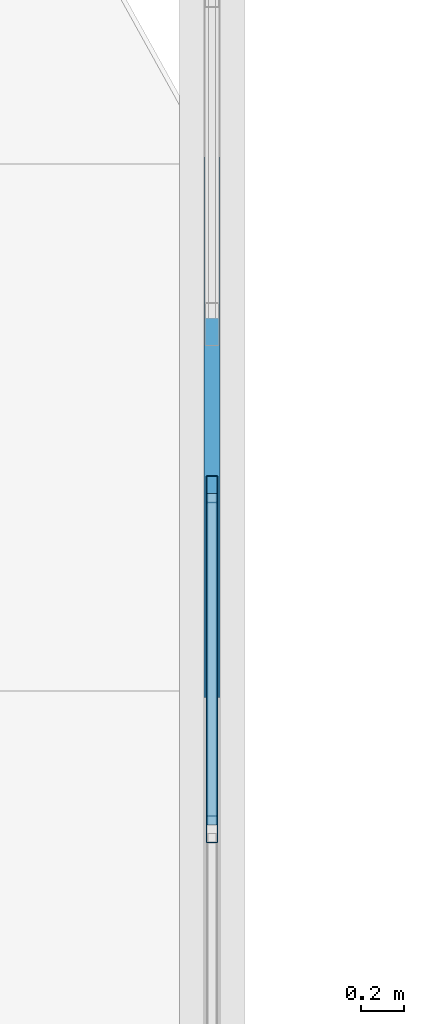
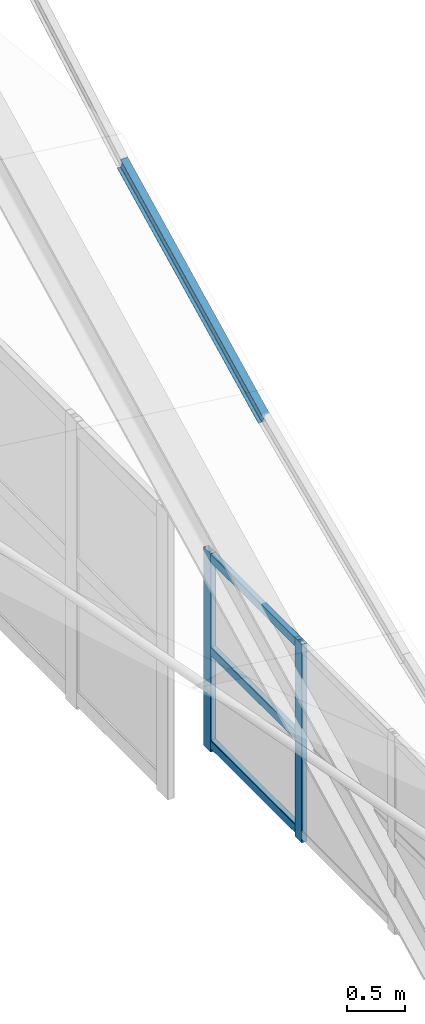
# One storey, part 133 of 262: 6 members, 1 element without a shape of its own.
"""IFC4 building model written with IfcOpenShell, lengths in metres."""

from ifc_helpers import new_model, si_unit, derived_unit, direction, frame, origin, origin_2d, place, context, subcontext, project, spatial, hollow_rectangle, i_section, extrude, material, layer, layer_set, material_profile, profile_set, type_object, element, aggregate, save


model = new_model("IFC4")

# Units and contexts
model_context = context("Model", 3, precision=1e-05, world=origin(), true_north=direction((0.0, 1.0)))
body_context = subcontext(model_context, "Body", "Model", "MODEL_VIEW")
ifc_project = project(units=[si_unit("LENGTHUNIT", "METRE"), si_unit("AREAUNIT", "SQUARE_METRE"), si_unit("VOLUMEUNIT", "CUBIC_METRE"), si_unit("PLANEANGLEUNIT", "RADIAN"), si_unit("MASSUNIT", "GRAM", prefix="KILO"), derived_unit("THERMALTRANSMITTANCEUNIT", [(si_unit("POWERUNIT", "WATT"), 1), (si_unit("LENGTHUNIT", "METRE"), -2), (si_unit("THERMODYNAMICTEMPERATUREUNIT", "KELVIN"), -1)])], contexts=[model_context])

# Site, building, storey
site_placement = place(None, origin())
site = spatial("IfcSite", under=ifc_project, at=site_placement, CompositionType="ELEMENT")
building_placement = place(site_placement, origin())
building = spatial("IfcBuilding", under=site, at=building_placement, Name="Almenara Railside Exhibition Hall", CompositionType="ELEMENT")
storey_placement = place(building_placement, frame((0.0, 0.0, 21.699951171875)))
storey = spatial("IfcBuildingStorey", under=building, at=storey_placement, Name="RF", CompositionType="ELEMENT", Elevation=21.699951171875)

# Member
ifc_material_1 = material(Name="Structural steel S355JR", Category="steel")
ifc_material_profile_1 = material_profile(ifc_material_1, i_section(OverallWidth=0.072998046875, OverallDepth=0.139892578125, WebThickness=0.004638671875, FlangeThickness=0.0068359375, FilletRadius=0.007080078125, at=origin_2d()), Name="IPE 140")
ifc_profile_set_1 = profile_set([ifc_material_profile_1], Name="Structural steel S355JR")
member_type_1 = type_object("IfcMemberType", Name="Canopy Edge Purlin IPE 140 S355JR", PredefinedType="PURLIN", material=ifc_profile_set_1)
member_1_placement = place(storey_placement, frame((66.0, 124.68994140625, 4.884765625), z_axis=(0.0, 0.895376074457, 0.445310773831), x_axis=(-1.0, 0.0, 0.0)))
element("IfcMember", 1, at=member_1_placement, inside=storey, type_object=member_type_1, Name="MEM-PR-V1-PR-IPE140-08-25", PredefinedType="PURLIN", context=body_context, shape_type="SweptSolid", body=[
    extrude(i_section(OverallWidth=0.072998046875, OverallDepth=0.139892578125, WebThickness=0.004638671875, FlangeThickness=0.0068359375, FilletRadius=0.007080078125, at=origin_2d()), origin(), (0.0, 0.0, 1.0), 2.721435546875),
])

# Curtain wall, members
ifc_material_2 = material(Name="Bronze-anodised aluminium and low-E double glazing", Category="aluminium")
ifc_layer = layer(ifc_material_2, 0.179931640625, Name="Bronze-anodised aluminium and low-E double glazing")
ifc_layer_set = layer_set([ifc_layer], Name="Bronze-anodised aluminium and low-E double glazing")
curtain_wall_type = type_object("IfcCurtainWallType", Name="West Hall Clerestory Curtain Wall 4200x2400", PredefinedType="NOTDEFINED", material=ifc_layer_set)
curtain_wall_placement = place(storey_placement, origin())
curtain_wall = element("IfcCurtainWall", 2, at=curtain_wall_placement, inside=storey, type_object=curtain_wall_type, Name="Curtain wall CW-CL1-194", PredefinedType="NOTDEFINED")
ifc_material_3 = material(Name="Bronze-anodised aluminium", Category="aluminium")
ifc_material_profile_2 = material_profile(ifc_material_3, hollow_rectangle(XDim=0.054931640625, YDim=0.125, WallThickness=0.0029296875, InnerFilletRadius=0.0029296875, OuterFilletRadius=0.006103515625, at=origin_2d()), Name="ALU-MUL 55x125x3")
ifc_profile_set_2 = profile_set([ifc_material_profile_2], Name="Bronze-anodised aluminium")
member_type_2 = type_object("IfcMemberType", Name="Curtain Wall Mullion 55x125x3", PredefinedType="MULLION", material=ifc_profile_set_2)
member_2_placement = place(storey_placement, frame((66.0, 124.050048828125, 0.85498046875), z_axis=(0.0, 0.0, 1.0), x_axis=(-1.0, 0.0, 0.0)))
member_2 = element("IfcMember", 3, at=member_2_placement, type_object=member_type_2, Name="CW-CL1-194 mullion 3", PredefinedType="MULLION", context=body_context, shape_type="SweptSolid", body=[
    extrude(hollow_rectangle(XDim=0.054931640625, YDim=0.125, WallThickness=0.0029296875, InnerFilletRadius=0.0029296875, OuterFilletRadius=0.006103515625, at=origin_2d()), origin(), (0.0, 0.0, 1.0), 2.0849609375),
])
member_3_placement = place(storey_placement, frame((66.0, 125.62255859375, 0.85498046875), z_axis=(0.0, 0.0, 1.0), x_axis=(-1.0, 0.0, 0.0)))
member_3 = element("IfcMember", 4, at=member_3_placement, type_object=member_type_2, Name="CW-CL1-194 mullion 4", PredefinedType="MULLION", context=body_context, shape_type="SweptSolid", body=[
    extrude(hollow_rectangle(XDim=0.054931640625, YDim=0.125, WallThickness=0.0029296875, InnerFilletRadius=0.0029296875, OuterFilletRadius=0.006103515625, at=origin_2d()), origin(), (0.0, 0.0, 1.0), 2.0849609375),
])
ifc_material_profile_3 = material_profile(ifc_material_3, hollow_rectangle(XDim=0.054931640625, YDim=0.090087890625, WallThickness=0.0029296875, InnerFilletRadius=0.0029296875, OuterFilletRadius=0.006103515625, at=origin_2d()), Name="ALU-TRN 55x90x3")
ifc_profile_set_3 = profile_set([ifc_material_profile_3], Name="Bronze-anodised aluminium")
member_type_3 = type_object("IfcMemberType", Name="Curtain Wall Transom 55x90x3", PredefinedType="USERDEFINED", material=ifc_profile_set_3)
member_4_placement = place(storey_placement, frame((66.0, 124.069580078125, 0.93505859375), z_axis=(0.0, 1.0, 0.0), x_axis=(-1.0, 0.0, 0.0)))
member_4 = element("IfcMember", 5, at=member_4_placement, type_object=member_type_3, Name="CW-CL1-194 transom 3.1", ObjectType="TRANSOM", PredefinedType="USERDEFINED", context=body_context, shape_type="SweptSolid", body=[
    extrude(hollow_rectangle(XDim=0.054931640625, YDim=0.090087890625, WallThickness=0.0029296875, InnerFilletRadius=0.0029296875, OuterFilletRadius=0.006103515625, at=origin_2d()), origin(), (0.0, 0.0, 1.0), 1.533447265625),
])
member_5_placement = place(storey_placement, frame((66.0, 124.069580078125, 1.9150390625), z_axis=(0.0, 1.0, 0.0), x_axis=(-1.0, 0.0, 0.0)))
member_5 = element("IfcMember", 6, at=member_5_placement, type_object=member_type_3, Name="CW-CL1-194 transom 3.2", ObjectType="TRANSOM", PredefinedType="USERDEFINED", context=body_context, shape_type="SweptSolid", body=[
    extrude(hollow_rectangle(XDim=0.054931640625, YDim=0.090087890625, WallThickness=0.0029296875, InnerFilletRadius=0.0029296875, OuterFilletRadius=0.006103515625, at=origin_2d()), origin(), (0.0, 0.0, 1.0), 1.533447265625),
])
member_6_placement = place(storey_placement, frame((66.0, 124.069580078125, 2.89501953125), z_axis=(0.0, 1.0, 0.0), x_axis=(-1.0, 0.0, 0.0)))
member_6 = element("IfcMember", 7, at=member_6_placement, type_object=member_type_3, Name="CW-CL1-194 transom 3.3", ObjectType="TRANSOM", PredefinedType="USERDEFINED", context=body_context, shape_type="SweptSolid", body=[
    extrude(hollow_rectangle(XDim=0.054931640625, YDim=0.090087890625, WallThickness=0.0029296875, InnerFilletRadius=0.0029296875, OuterFilletRadius=0.006103515625, at=origin_2d()), origin(), (0.0, 0.0, 1.0), 1.533447265625),
])
aggregate(curtain_wall, [member_2, member_3, member_4, member_5, member_6])

save(model, "model.ifc")
